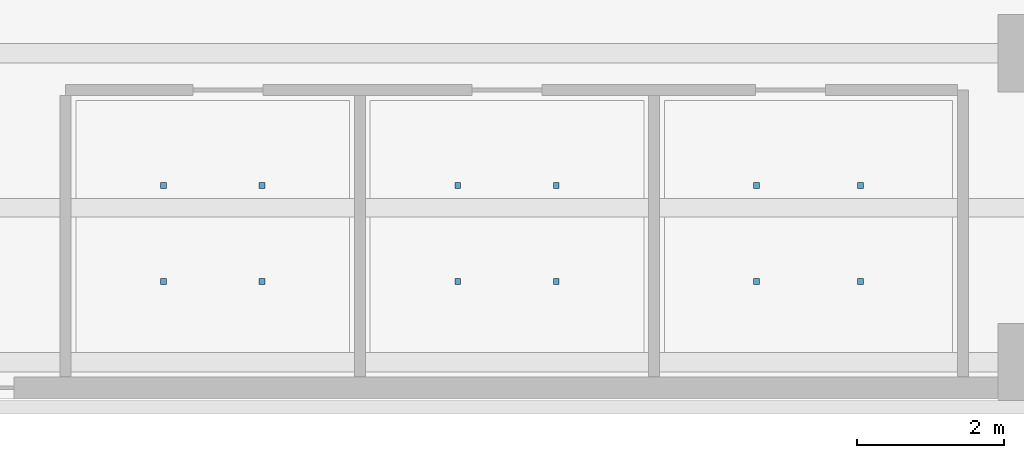
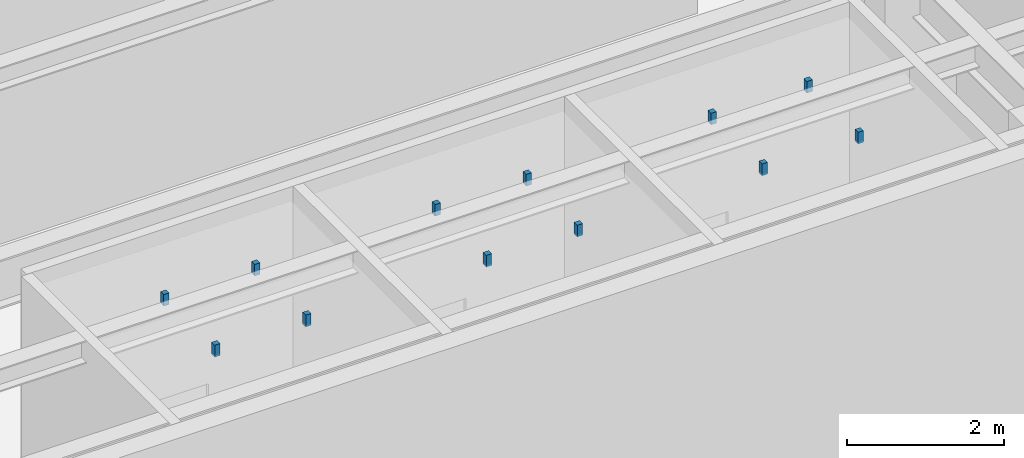
# One storey, part 18 of 23: 12 discrete accessories.
"""IFC4 building model written with IfcOpenShell, lengths in metres."""

from ifc_helpers import new_model, si_unit, direction, frame, origin, origin_2d, place, context, subcontext, project, spatial, rectangle, extrude, material, type_object, element, save


model = new_model("IFC4")

# Units and contexts
model_context = context("Model", 3, precision=1e-05, world=origin(), true_north=direction((0.0, 1.0)))
body_context = subcontext(model_context, "Body", "Model", "MODEL_VIEW")
ifc_project = project(units=[si_unit("LENGTHUNIT", "METRE"), si_unit("AREAUNIT", "SQUARE_METRE"), si_unit("VOLUMEUNIT", "CUBIC_METRE"), si_unit("PLANEANGLEUNIT", "RADIAN"), si_unit("MASSUNIT", "GRAM", prefix="KILO")], contexts=[model_context])

# Site, building, storey
site_placement = place(None, origin())
site = spatial("IfcSite", under=ifc_project, at=site_placement, CompositionType="ELEMENT")
building_placement = place(site_placement, origin())
building = spatial("IfcBuilding", under=site, at=building_placement, Name="Kolvaren Gate Tower and Convention Centre", CompositionType="ELEMENT")
storey_placement = place(building_placement, origin())
storey = spatial("IfcBuildingStorey", under=building, at=storey_placement, Name="L00", CompositionType="ELEMENT", Elevation=0.0)

# Discrete accessories
ifc_material = material(Name="Brushed Stainless Steel Grade 316L", Category="steel")
discrete_accessory_type = type_object("IfcDiscreteAccessoryType", Name="ARCH-ACC-HANGER-80", PredefinedType="BRACKET", material=ifc_material)
for number, where, z_axis, x_axis, name in (
    (1, (76.530029296875, 3.798095703125, 4.56005859375), (0.0, 0.0, 1.0), (1.0, 0.0, 0.0), "Convention L00 Delegate Male Restroom Ceiling Suspension Hanger Clip 1"),
    (2, (77.8701171875, 3.798095703125, 4.56005859375), (0.0, 0.0, 1.0), (1.0, 0.0, 0.0), "Convention L00 Delegate Male Restroom Ceiling Suspension Hanger Clip 2"),
    (3, (76.530029296875, 5.10205078125, 4.56005859375), (0.0, 0.0, 1.0), (1.0, 0.0, 0.0), "Convention L00 Delegate Male Restroom Ceiling Suspension Hanger Clip 3"),
    (4, (77.8701171875, 5.10205078125, 4.56005859375), (0.0, 0.0, 1.0), (1.0, 0.0, 0.0), "Convention L00 Delegate Male Restroom Ceiling Suspension Hanger Clip 4"),
    (5, (80.530029296875, 3.798095703125, 4.56005859375), (0.0, 0.0, 1.0), (1.0, 0.0, 0.0), "Convention L00 Accessible Restroom Ceiling Suspension Hanger Clip 1"),
    (6, (81.8701171875, 3.798095703125, 4.56005859375), (0.0, 0.0, 1.0), (1.0, 0.0, 0.0), "Convention L00 Accessible Restroom Ceiling Suspension Hanger Clip 2"),
    (7, (80.530029296875, 5.10205078125, 4.56005859375), (0.0, 0.0, 1.0), (1.0, 0.0, 0.0), "Convention L00 Accessible Restroom Ceiling Suspension Hanger Clip 3"),
    (8, (81.8701171875, 5.10205078125, 4.56005859375), (0.0, 0.0, 1.0), (1.0, 0.0, 0.0), "Convention L00 Accessible Restroom Ceiling Suspension Hanger Clip 4"),
    (9, (84.593994140625, 3.798095703125, 4.56005859375), (0.0, 0.0, 1.0), (1.0, 0.0, 0.0), "Convention L00 Delegate Female Restroom Ceiling Suspension Hanger Clip 1"),
    (10, (86.006103515625, 3.798095703125, 4.56005859375), (0.0, 0.0, 1.0), (1.0, 0.0, 0.0), "Convention L00 Delegate Female Restroom Ceiling Suspension Hanger Clip 2"),
    (11, (84.593994140625, 5.10205078125, 4.56005859375), (0.0, 0.0, 1.0), (1.0, 0.0, 0.0), "Convention L00 Delegate Female Restroom Ceiling Suspension Hanger Clip 3"),
    (12, (86.006103515625, 5.10205078125, 4.56005859375), (0.0, 0.0, 1.0), (1.0, 0.0, 0.0), "Convention L00 Delegate Female Restroom Ceiling Suspension Hanger Clip 4"),
):
    element("IfcDiscreteAccessory", number, at=place(storey_placement, frame(where, z_axis=z_axis, x_axis=x_axis)), inside=storey, type_object=discrete_accessory_type, Name=name, PredefinedType="BRACKET", context=body_context, shape_type="SweptSolid", body=[
        extrude(rectangle(XDim=0.080078125, YDim=0.080078125, at=origin_2d()), origin(), (0.0, 0.0, 1.0), 0.179931640625),
    ])

save(model, "model.ifc")
